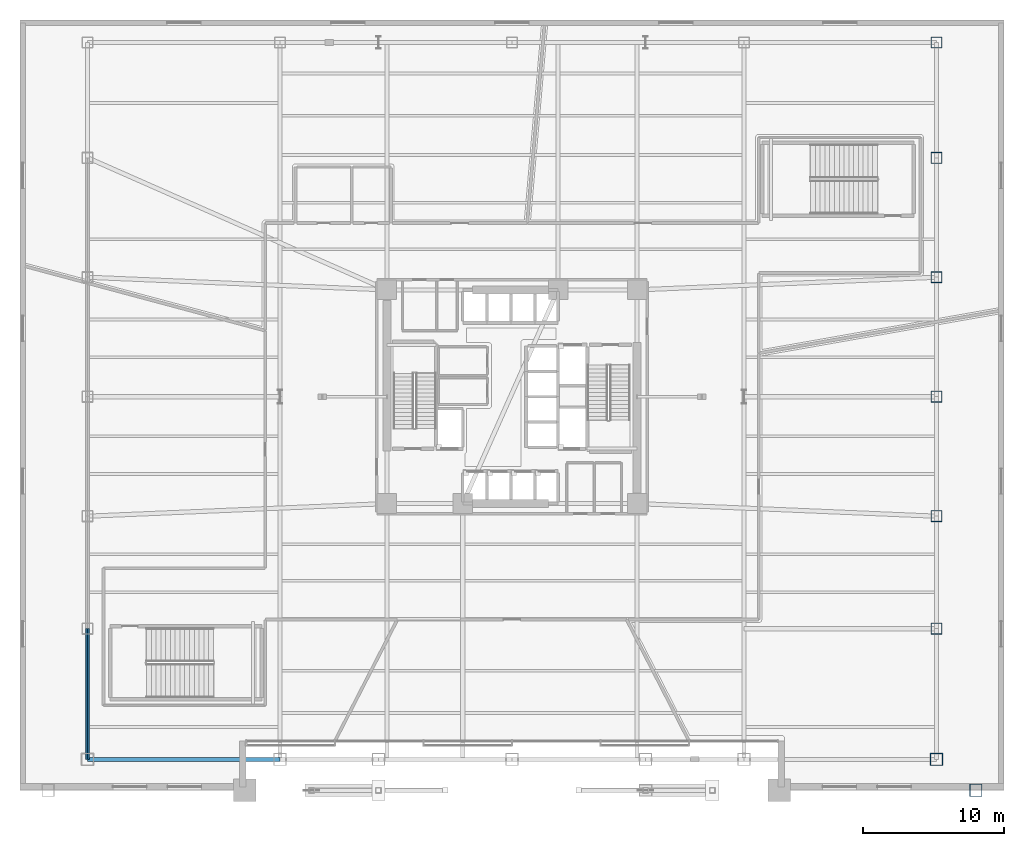
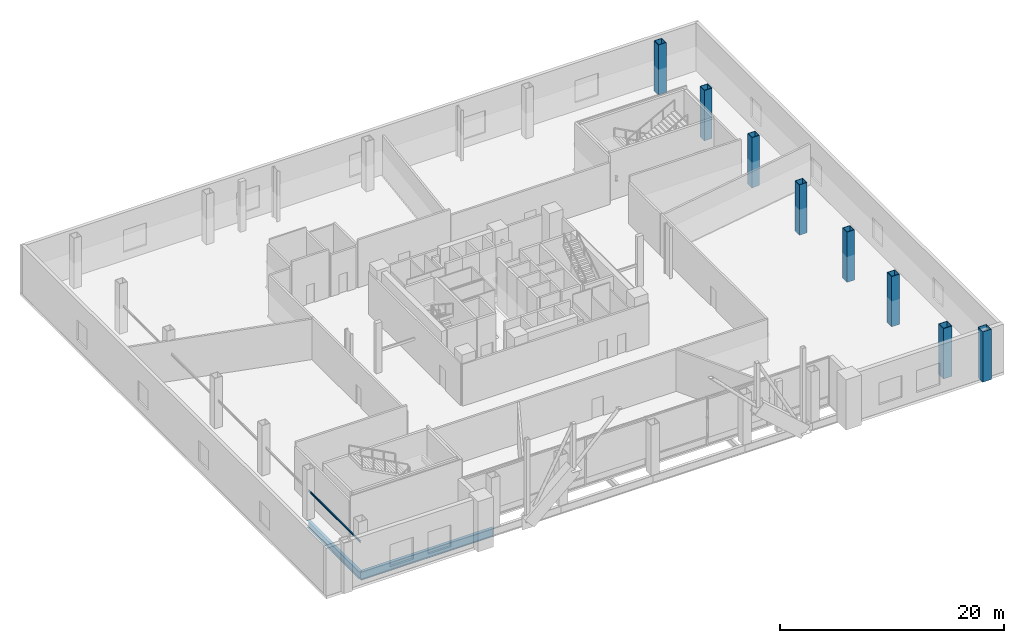
# One storey, part 2 of 16: 8 columns, 2 beams, 1 member.
"""IFC4 building model written with IfcOpenShell, lengths in metres."""

import ifcopenshell
import ifcopenshell.guid

model = None  # the IFC model being written
_history = None  # IfcOwnerHistory: only IFC2X3 demands one
_inside = {}  # id of a spatial element -> (the spatial element, [elements in it])
_under = {}  # id of a project, library or spatial element -> (it, [spatial elements below it])
_declared = {}  # id of a project -> (the project, [libraries it declares])
_typed = {}  # id of a type object -> (the type object, [elements of that type])
_made_of = {}  # id of a material, layer set ... -> (it, [elements and type objects made of it])


def new_model(schema):
    """Start an empty IFC model of exactly this schema.

    Asked for "IFC4X3", IfcOpenShell would pick the latest addendum, in which some entities
    have other attributes; the version numbers below select the first issue.
    IFC2X3 requires an IfcOwnerHistory on every rooted entity: one is made here for all.
    """
    global model, _history
    if schema == "IFC4X3":
        model = ifcopenshell.file(schema_version=(4, 3, 0, 0))
    else:
        model = ifcopenshell.file(schema=schema)
    _inside.clear()
    _under.clear()
    _declared.clear()
    _typed.clear()
    _made_of.clear()
    _history = None
    if model.schema == "IFC2X3":
        org = make("IfcOrganization", Name="unknown")
        user = make(
            "IfcPersonAndOrganization",
            ThePerson=make("IfcPerson", FamilyName="unknown"),
            TheOrganization=org,
        )
        app = make(
            "IfcApplication",
            ApplicationDeveloper=org,
            Version="unknown",
            ApplicationFullName="unknown",
            ApplicationIdentifier="unknown",
        )
        _history = make(
            "IfcOwnerHistory",
            OwningUser=user,
            OwningApplication=app,
            ChangeAction="ADDED",
            CreationDate=0,
        )
    return model


def make(cls, **values):
    """One entity of the class cls with the attributes given. An attribute that is None is left unset."""
    return model.create_entity(
        cls, **{name: value for name, value in values.items() if value is not None}
    )


def rooted(cls, **values):
    """An entity with a GlobalId (a new one), such as an element, a storey or a relation."""
    return make(cls, GlobalId=ifcopenshell.guid.new(), OwnerHistory=_history, **values)


def si_unit(unit_type, name, prefix=None):
    """IfcSIUnit, for example si_unit("LENGTHUNIT", "METRE", prefix="MILLI")."""
    return make("IfcSIUnit", UnitType=unit_type, Prefix=prefix, Name=name)


def assignment(units):
    """IfcUnitAssignment: the units of a project."""
    return None if units is None else make("IfcUnitAssignment", Units=units)


def point(xyz):
    """IfcCartesianPoint."""
    return None if xyz is None else make("IfcCartesianPoint", Coordinates=xyz)


def direction(xyz):
    """IfcDirection."""
    return None if xyz is None else make("IfcDirection", DirectionRatios=xyz)


def frame(location, z_axis=None, x_axis=None):
    """IfcAxis2Placement3D, a coordinate frame: its origin and axes. An axis left out is left unset."""
    return make(
        "IfcAxis2Placement3D",
        Location=point(location),
        Axis=direction(z_axis),
        RefDirection=direction(x_axis),
    )


def frame_2d(location, x_axis=None):
    """IfcAxis2Placement2D, a coordinate frame in the plane: its origin and x axis."""
    return make(
        "IfcAxis2Placement2D", Location=point(location), RefDirection=direction(x_axis)
    )


def origin():
    """The frame at (0, 0, 0) with its axes left unset."""
    return frame((0.0, 0.0, 0.0))


def origin_2d():
    """The frame at (0, 0) in the plane with its x axis left unset."""
    return frame_2d((0.0, 0.0))


def place(relative_to, where):
    """IfcLocalPlacement: puts the frame where relative to a parent placement (None: the world)."""
    return make(
        "IfcLocalPlacement", PlacementRelTo=relative_to, RelativePlacement=where
    )


def context(
    kind, dimensions, precision=None, world=None, true_north=None, identifier=None
):
    """IfcGeometricRepresentationContext, for example the 3D "Model" context."""
    return make(
        "IfcGeometricRepresentationContext",
        ContextIdentifier=identifier,
        ContextType=kind,
        CoordinateSpaceDimension=dimensions,
        Precision=precision,
        WorldCoordinateSystem=world,
        TrueNorth=true_north,
    )


def subcontext(parent, identifier, kind, view, scale=None):
    """IfcGeometricRepresentationSubContext, for example "Body" below "Model"."""
    return make(
        "IfcGeometricRepresentationSubContext",
        ContextIdentifier=identifier,
        ContextType=kind,
        ParentContext=parent,
        TargetScale=scale,
        TargetView=view,
    )


def project(units=None, contexts=None):
    """IfcProject with its units and contexts."""
    return rooted(
        "IfcProject",
        Name="project",
        RepresentationContexts=contexts,
        UnitsInContext=assignment(units),
    )


def spatial(cls, under=None, at=None, **own):
    """A site, building, storey or space (cls), placed at a placement, below another one or the project."""
    s = rooted(cls, ObjectPlacement=at, **own)
    if under is not None:
        _under.setdefault(under.id(), (under, []))[1].append(s)
    return s


def profile(cls, at=None, kind="AREA", **sizes):
    """A parametric profile (cls). Its sizes go by their IFC names, for example OverallWidth=200.0."""
    return make(cls, ProfileType=kind, Position=at, **sizes)


def hollow_rectangle(**sizes):
    """IfcRectangleHollowProfileDef."""
    return profile("IfcRectangleHollowProfileDef", **sizes)


def i_section(**sizes):
    """IfcIShapeProfileDef."""
    return profile("IfcIShapeProfileDef", **sizes)


def extrude(swept, where, along, depth):
    """IfcExtrudedAreaSolid: the profile swept, set in the frame where, extruded along a direction by depth."""
    return make(
        "IfcExtrudedAreaSolid",
        SweptArea=swept,
        Position=where,
        ExtrudedDirection=direction(along),
        Depth=depth,
    )


def shape(context_of_items, identifier, shape_type, items):
    """IfcShapeRepresentation: the items that make up one representation, for example the "Body"."""
    return make(
        "IfcShapeRepresentation",
        ContextOfItems=context_of_items,
        RepresentationIdentifier=identifier,
        RepresentationType=shape_type,
        Items=items,
    )


def material(Name=None, Category=None):
    """IfcMaterial."""
    return make("IfcMaterial", Name=Name, Category=Category)


def material_profile(
    of_material, cross_section, Name=None, Category=None, Priority=None
):
    """IfcMaterialProfile: a cross section and its material."""
    return make(
        "IfcMaterialProfile",
        Name=Name,
        Material=of_material,
        Profile=cross_section,
        Priority=Priority,
        Category=Category,
    )


def profile_set(profiles, Name=None, composite=None):
    """IfcMaterialProfileSet."""
    return make(
        "IfcMaterialProfileSet",
        Name=Name,
        MaterialProfiles=profiles,
        CompositeProfile=composite,
    )


def made_of(thing, what):
    """Note that an element or type object is made of a material, layer set ...; save() writes the relation."""
    if what is not None:
        _made_of.setdefault(what.id(), (what, []))[1].append(thing)
    return thing


def type_object(cls, material=None, **own):
    """A type object (cls), such as IfcWallType, which elements share."""
    return made_of(rooted(cls, **own), material)


def element(
    cls,
    number,
    at=None,
    inside=None,
    cuts=None,
    type_object=None,
    material=None,
    context=None,
    identifier="Body",
    shape_type=None,
    held_by="IfcProductDefinitionShape",
    body=None,
    shapes=None,
    **own,
):
    """One element of the class cls, such as IfcWall. Its Tag is "e" and its number.

    at: its placement. inside: the storey or other place that contains it. cuts: it is an
    opening in that element (IfcRelVoidsElement). A single representation is given by context,
    identifier, shape_type and body (its items); several are given by shapes. held_by: the class
    of the entity that holds the representations. save() writes the other relations.
    """
    e = rooted(cls, Tag="e%d" % number, ObjectPlacement=at, **own)
    if body is not None:
        shapes = [shape(context, identifier, shape_type, body)]
    if shapes is not None:
        e.Representation = make(held_by, Representations=shapes)
    if inside is not None:
        _inside.setdefault(inside.id(), (inside, []))[1].append(e)
    if cuts is not None:
        rooted(
            "IfcRelVoidsElement", RelatingBuildingElement=cuts, RelatedOpeningElement=e
        )
    if type_object is not None:
        _typed.setdefault(type_object.id(), (type_object, []))[1].append(e)
    return made_of(e, material)


def aggregate(whole, parts):
    """IfcRelAggregates: a whole, such as a stair, and the parts it consists of."""
    return rooted("IfcRelAggregates", RelatingObject=whole, RelatedObjects=parts)


def save(model, path):
    """Write the relations noted so far, then the file.

    IfcRelAggregates (storeys below a building ...), IfcRelContainedInSpatialStructure (elements
    in a storey), IfcRelDefinesByType, IfcRelAssociatesMaterial and IfcRelDeclares: one each for
    every whole, place, type object, material and project.
    """
    for whole, parts in _under.values():
        aggregate(whole, parts)
    for where, things in _inside.values():
        rooted(
            "IfcRelContainedInSpatialStructure",
            RelatedElements=things,
            RelatingStructure=where,
        )
    for kind, things in _typed.values():
        rooted("IfcRelDefinesByType", RelatedObjects=things, RelatingType=kind)
    for what, things in _made_of.values():
        rooted("IfcRelAssociatesMaterial", RelatedObjects=things, RelatingMaterial=what)
    for by, libraries in _declared.values():
        rooted("IfcRelDeclares", RelatingContext=by, RelatedDefinitions=libraries)
    model.write(path)


model = new_model("IFC4")

# Units and contexts
model_context = context("Model", 3, precision=1e-05, world=origin(), true_north=direction((0.0, 1.0)))
body_context = subcontext(model_context, "Body", "Model", "MODEL_VIEW")
ifc_project = project(units=[si_unit("LENGTHUNIT", "METRE"), si_unit("AREAUNIT", "SQUARE_METRE"), si_unit("VOLUMEUNIT", "CUBIC_METRE"), si_unit("PLANEANGLEUNIT", "RADIAN"), si_unit("MASSUNIT", "GRAM", prefix="KILO")], contexts=[model_context])

# Site, building, storey
site_placement = place(None, origin())
site = spatial("IfcSite", under=ifc_project, at=site_placement, CompositionType="ELEMENT")
building_placement = place(site_placement, origin())
building = spatial("IfcBuilding", under=site, at=building_placement, Name="Tharavind Bronze Gate", CompositionType="ELEMENT")
storey_placement = place(building_placement, frame((0.0, 0.0, 5.5)))
storey = spatial("IfcBuildingStorey", under=building, at=storey_placement, Name="L01", CompositionType="ELEMENT", Elevation=5.5)

# Columns
ifc_material_1 = material(Name="Steel S460", Category="steel")
ifc_material_profile_1 = material_profile(ifc_material_1, hollow_rectangle(XDim=0.800048828125, YDim=0.800048828125, WallThickness=0.044921875, at=origin_2d()), Name="SHS800X45")
ifc_profile_set_1 = profile_set([ifc_material_profile_1], Name="Steel S460")
column_type_1 = type_object("IfcColumnType", Name="PERIMETER BOX COLUMN SHS800", PredefinedType="COLUMN", material=ifc_profile_set_1)
for number, where, z_axis, x_axis, name in (
    (1, (30.199951171875, 25.199951171875, 0.0), (0.0, 0.0, 1.0), (1.0, 0.0, 0.0), "L01 podium column PN70"),
    (2, (30.199951171875, -16.5, 0.0), (0.0, 0.0, 1.0), (1.0, 0.0, 0.0), "L01 podium column PE14"),
    (3, (30.199951171875, -8.5, 0.0), (0.0, 0.0, 1.0), (1.0, 0.0, 0.0), "L01 podium column PE22"),
    (4, (30.199951171875, 0.0, 0.0), (0.0, 0.0, 1.0), (1.0, 0.0, 0.0), "L01 podium column PE30"),
    (5, (30.199951171875, 8.5, 0.0), (0.0, 0.0, 1.0), (1.0, 0.0, 0.0), "L01 podium column PE38"),
    (6, (30.199951171875, 17.0, 0.0), (0.0, 0.0, 1.0), (1.0, 0.0, 0.0), "L01 podium column PE47"),
):
    element("IfcColumn", number, at=place(storey_placement, frame(where, z_axis=z_axis, x_axis=x_axis)), inside=storey, type_object=column_type_1, Name=name, PredefinedType="COLUMN", context=body_context, shape_type="SweptSolid", body=[
        extrude(hollow_rectangle(XDim=0.800048828125, YDim=0.800048828125, WallThickness=0.044921875, at=origin_2d()), origin(), (0.0, 0.0, 1.0), 5.5),
    ])
ifc_material_profile_2 = material_profile(ifc_material_1, hollow_rectangle(XDim=0.89990234375, YDim=0.89990234375, WallThickness=0.050048828125, at=origin_2d()), Name="SHS900X50")
ifc_profile_set_2 = profile_set([ifc_material_profile_2], Name="Steel S460")
column_type_2 = type_object("IfcColumnType", Name="PERIMETER BOX COLUMN SHS900", PredefinedType="COLUMN", material=ifc_profile_set_2)
for number, where, z_axis, x_axis, name in (
    (7, (30.199951171875, -25.800048828125, 0.0), (0.0, 0.0, 1.0), (1.0, 0.0, 0.0), "L01 podium column PS70"),
    (8, (33.0, -28.0, 0.0), (0.0, 0.0, 1.0), (1.0, 0.0, 0.0), "L01 podium column CRNS4"),
):
    element("IfcColumn", number, at=place(storey_placement, frame(where, z_axis=z_axis, x_axis=x_axis)), inside=storey, type_object=column_type_2, Name=name, PredefinedType="COLUMN", context=body_context, shape_type="SweptSolid", body=[
        extrude(hollow_rectangle(XDim=0.89990234375, YDim=0.89990234375, WallThickness=0.050048828125, at=origin_2d()), origin(), (0.0, 0.0, 1.0), 5.5),
    ])

# Beam
ifc_material_2 = material(Name="Steel S355", Category="steel")
ifc_material_profile_3 = material_profile(ifc_material_2, i_section(OverallWidth=0.300048828125, OverallDepth=0.800048828125, WebThickness=0.017578125, FlangeThickness=0.032958984375, at=origin_2d()), Name="HE800B")
ifc_profile_set_3 = profile_set([ifc_material_profile_3], Name="Steel S355")
beam_type_1 = type_object("IfcBeamType", Name="RING GIRDER HE800B", PredefinedType="USERDEFINED", material=ifc_profile_set_3)
beam_1_placement = place(storey_placement, frame((-30.199951171875, -25.800048828125, -0.679931640625), z_axis=(0.0, 1.0, 0.0), x_axis=(-1.0, 0.0, 0.0)))
element("IfcBeam", 9, at=beam_1_placement, inside=storey, type_object=beam_type_1, Name="L01 ring girder he800b BM-L01-PW1", ObjectType="GIRDER", PredefinedType="USERDEFINED", context=body_context, shape_type="SweptSolid", body=[
    extrude(i_section(OverallWidth=0.300048828125, OverallDepth=0.800048828125, WebThickness=0.017578125, FlangeThickness=0.032958984375, at=origin_2d()), origin(), (0.0, 0.0, 1.0), 9.300048828125),
])

# Member
ifc_material_3 = material(Name="Anodised Bronze Aluminium", Category="aluminium")
ifc_material_profile_4 = material_profile(ifc_material_3, i_section(OverallWidth=0.10009765625, OverallDepth=0.199951171875, WebThickness=0.005615234375, FlangeThickness=0.008544921875, at=origin_2d()), Name="IPE200")
ifc_profile_set_4 = profile_set([ifc_material_profile_4], Name="Anodised Bronze Aluminium")
member_type = type_object("IfcMemberType", Name="SOLAR LOUVRE BLADE", PredefinedType="USERDEFINED", material=ifc_profile_set_4)
member_placement = place(storey_placement, frame((-30.199951171875, -25.800048828125, 2.949951171875), z_axis=(0.0, 1.0, 0.0), x_axis=(-1.0, 0.0, 0.0)))
element("IfcMember", 10, at=member_placement, inside=storey, type_object=member_type, Name="L01 west gallery solar louvre 1", ObjectType="SOLAR LOUVRE", PredefinedType="USERDEFINED", context=body_context, shape_type="SweptSolid", body=[
    extrude(i_section(OverallWidth=0.10009765625, OverallDepth=0.199951171875, WebThickness=0.005615234375, FlangeThickness=0.008544921875, at=origin_2d()), origin(), (0.0, 0.0, 1.0), 9.300048828125),
])

# Beam
ifc_material_profile_5 = material_profile(ifc_material_2, i_section(OverallWidth=0.300048828125, OverallDepth=0.89990234375, WebThickness=0.0185546875, FlangeThickness=0.034912109375, at=origin_2d()), Name="HE900B")
ifc_profile_set_5 = profile_set([ifc_material_profile_5], Name="Steel S355")
beam_type_2 = type_object("IfcBeamType", Name="SPANDREL RING BEAM HE900B", PredefinedType="SPANDREL", material=ifc_profile_set_5)
beam_2_placement = place(storey_placement, frame((-30.199951171875, -25.800048828125, -0.72998046875), z_axis=(1.0, 0.0, 0.0), x_axis=(0.0, 1.0, 0.0)))
element("IfcBeam", 11, at=beam_2_placement, inside=storey, type_object=beam_type_2, Name="L01 spandrel ring beam he900b BM-L01-PS1", PredefinedType="SPANDREL", context=body_context, shape_type="SweptSolid", body=[
    extrude(i_section(OverallWidth=0.300048828125, OverallDepth=0.89990234375, WebThickness=0.0185546875, FlangeThickness=0.034912109375, at=origin_2d()), origin(), (0.0, 0.0, 1.0), 13.699951171875),
])

save(model, "model.ifc")
